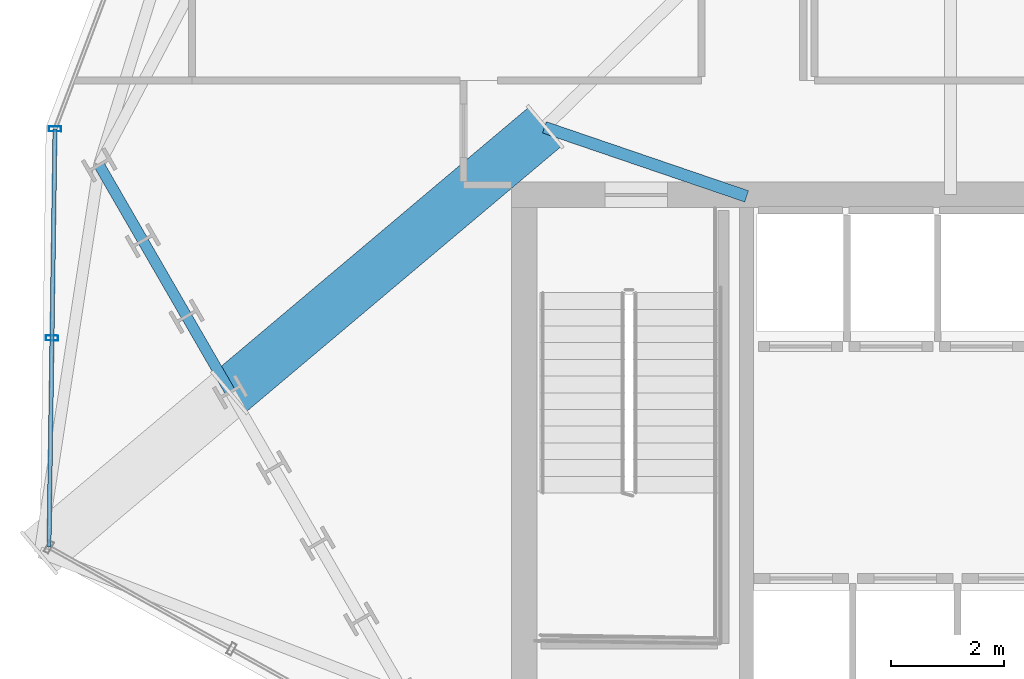
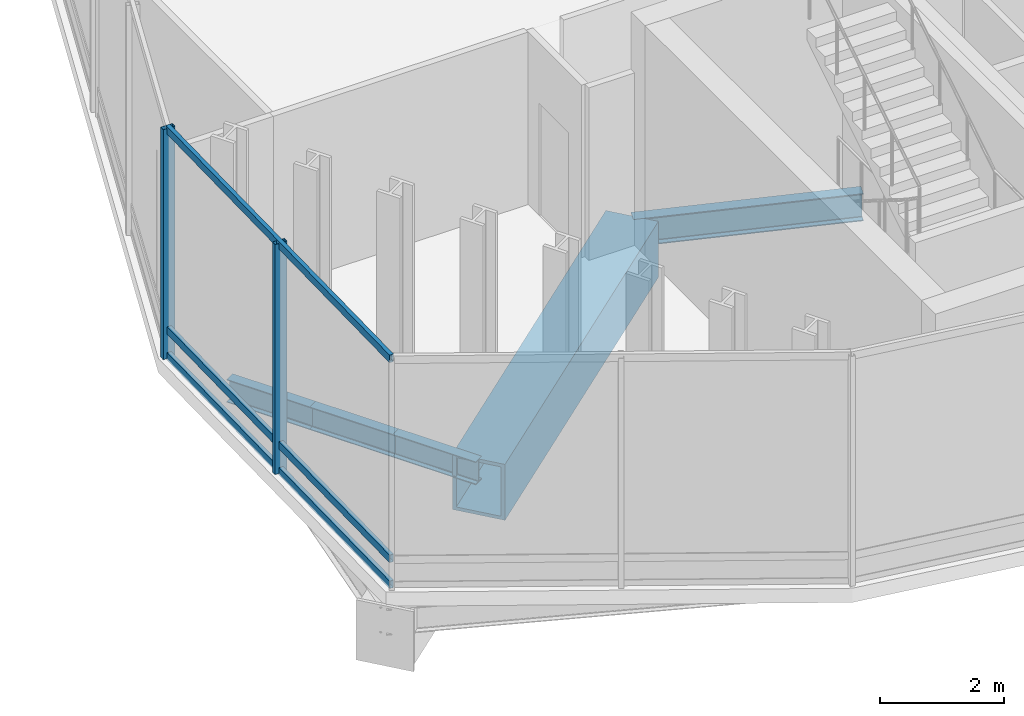
# One storey, part 4 of 26: 5 beams, 5 members, 1 element without a shape of its own.
"""IFC4 building model written with IfcOpenShell, lengths in metres."""

from ifc_helpers import new_model, si_unit, direction, frame, origin, origin_2d, place, context, subcontext, project, spatial, hollow_rectangle, i_section, extrude, material, layer, layer_set, material_profile, profile_set, type_object, element, aggregate, save


model = new_model("IFC4")

# Units and contexts
model_context = context("Model", 3, precision=1e-05, world=origin(), true_north=direction((0.0, 1.0)))
body_context = subcontext(model_context, "Body", "Model", "MODEL_VIEW")
ifc_project = project(units=[si_unit("LENGTHUNIT", "METRE"), si_unit("AREAUNIT", "SQUARE_METRE"), si_unit("VOLUMEUNIT", "CUBIC_METRE"), si_unit("PLANEANGLEUNIT", "RADIAN"), si_unit("MASSUNIT", "GRAM", prefix="KILO")], contexts=[model_context])

# Site, building, storey
site_placement = place(None, origin())
site = spatial("IfcSite", under=ifc_project, at=site_placement, CompositionType="ELEMENT")
building_placement = place(site_placement, origin())
building = spatial("IfcBuilding", under=site, at=building_placement, Name="Ndaravel Arena Tower", CompositionType="ELEMENT")
storey_placement = place(building_placement, frame((0.0, 0.0, 117.39990234375)))
storey = spatial("IfcBuildingStorey", under=building, at=storey_placement, Name="L27", CompositionType="ELEMENT", Elevation=117.39990234375)

# Beams
ifc_material_1 = material(Name="Steel S355", Category="steel")
ifc_material_profile_1 = material_profile(ifc_material_1, i_section(OverallWidth=0.210693359375, OverallDepth=0.53955078125, WebThickness=0.01171875, FlangeThickness=0.018798828125, FilletRadius=0.0126953125, at=origin_2d()), Name="UB 533x210x109")
ifc_profile_set_1 = profile_set([ifc_material_profile_1], Name="Steel S355")
beam_type_1 = type_object("IfcBeamType", Name="BM-GIRD-UB533", PredefinedType="BEAM", material=ifc_profile_set_1)
beam_1_placement = place(storey_placement, frame((30.60009765625, 14.949951171875, -0.549560546875), z_axis=(-0.946368669918, 0.323088750341, 0.0), x_axis=(-0.323088750341, -0.946368669918, 0.0)))
element("IfcBeam", 1, at=beam_1_placement, inside=storey, type_object=beam_type_1, Name="L27 Star Backspan Anchor Tie SAT1-1", PredefinedType="BEAM", context=body_context, shape_type="SweptSolid", body=[
    extrude(i_section(OverallWidth=0.210693359375, OverallDepth=0.53955078125, WebThickness=0.01171875, FlangeThickness=0.018798828125, FilletRadius=0.0126953125, at=origin_2d()), origin(), (0.0, 0.0, 1.0), 3.7744140625),
])
ifc_material_2 = material(Name="Steel S355", Category="steel")
ifc_material_profile_2 = material_profile(ifc_material_2, i_section(OverallWidth=0.18994140625, OverallDepth=0.449951171875, WebThickness=0.009521484375, FlangeThickness=0.0146484375, FilletRadius=0.02099609375, at=origin_2d()), Name="IPE 450")
ifc_profile_set_2 = profile_set([ifc_material_profile_2], Name="Steel S355")
beam_type_2 = type_object("IfcBeamType", Name="BM-SPAN-IPE450", PredefinedType="SPANDREL", material=ifc_profile_set_2)
for number, where, z_axis, x_axis, name in (
    (2, (19.16259765625, 15.50439453125, -0.5048828125), (0.499882215713, -0.866093395895, 0.0), (0.866093395895, 0.499882215713, 0.0), "L27 Perimeter Spandrel Beam SP-20"),
    (3, (19.93408203125, 14.167724609375, -0.5048828125), (0.500069364209, -0.865985352636, 0.0), (0.865985352636, 0.500069364209, 0.0), "L27 Perimeter Spandrel Beam SP-21"),
):
    element("IfcBeam", number, at=place(storey_placement, frame(where, z_axis=z_axis, x_axis=x_axis)), inside=storey, type_object=beam_type_2, Name=name, PredefinedType="SPANDREL", context=body_context, shape_type="SweptSolid", body=[
        extrude(i_section(OverallWidth=0.18994140625, OverallDepth=0.449951171875, WebThickness=0.009521484375, FlangeThickness=0.0146484375, FilletRadius=0.02099609375, at=origin_2d()), origin(), (0.0, 0.0, 1.0), 1.543212890625),
    ])
beam_2_placement = place(storey_placement, frame((20.705810546875, 12.831298828125, -0.5048828125), z_axis=(0.5000008632, -0.866024905415, 0.0), x_axis=(0.866024905415, 0.5000008632, 0.0)))
element("IfcBeam", 4, at=beam_2_placement, inside=storey, type_object=beam_type_2, Name="L27 Perimeter Spandrel Beam SP-22", PredefinedType="SPANDREL", context=body_context, shape_type="SweptSolid", body=[
    extrude(i_section(OverallWidth=0.18994140625, OverallDepth=0.449951171875, WebThickness=0.009521484375, FlangeThickness=0.0146484375, FilletRadius=0.02099609375, at=origin_2d()), origin(), (0.0, 0.0, 1.0), 1.54345703125),
])
ifc_material_3 = material(Name="Steel S460", Category="steel")
ifc_material_profile_3 = material_profile(ifc_material_3, hollow_rectangle(XDim=0.89990234375, YDim=1.10009765625, WallThickness=0.06494140625, at=origin_2d()), Name="BOX 1100x900x65")
ifc_profile_set_3 = profile_set([ifc_material_profile_3], Name="Steel S460")
beam_type_3 = type_object("IfcBeamType", Name="BM-STAR-BOX1100", PredefinedType="BEAM", material=ifc_profile_set_3)
beam_3_placement = place(storey_placement, frame((27.028076171875, 16.16943359375, -0.829833984375), z_axis=(-0.764865830432, -0.644189616059, 0.0), x_axis=(0.644189616059, -0.764865830432, 0.0)))
element("IfcBeam", 5, at=beam_3_placement, inside=storey, type_object=beam_type_3, Name="L27 Star Cantilever Backspan Girder SBG-1", PredefinedType="BEAM", context=body_context, shape_type="SweptSolid", body=[
    extrude(hollow_rectangle(XDim=0.89990234375, YDim=1.10009765625, WallThickness=0.06494140625, at=origin_2d()), origin(), (0.0, 0.0, 1.0), 7.2568359375),
])

# Curtain wall, members
ifc_material_4 = material(Name="Aluminium", Category="aluminium")
ifc_layer = layer(ifc_material_4, 0.179931640625)
ifc_layer_set = layer_set([ifc_layer], Name="Aluminium")
curtain_wall_type = type_object("IfcCurtainWallType", Name="CW-SYS-04", PredefinedType="NOTDEFINED", material=ifc_layer_set)
curtain_wall_placement = place(storey_placement, origin())
curtain_wall = element("IfcCurtainWall", 6, at=curtain_wall_placement, inside=storey, type_object=curtain_wall_type, Name="L27 Faceted Crystal Curtain Wall CW-L27-E12", PredefinedType="NOTDEFINED")
ifc_material_5 = material(Name="Aluminium", Category="aluminium")
ifc_material_profile_4 = material_profile(ifc_material_5, hollow_rectangle(XDim=0.090087890625, YDim=0.219970703125, WallThickness=0.0048828125, at=origin_2d()), Name="CW MULLION 90x220x5")
ifc_profile_set_4 = profile_set([ifc_material_profile_4], Name="Aluminium")
member_type_1 = type_object("IfcMemberType", Name="MEM-CW-MUL220", PredefinedType="MULLION", material=ifc_profile_set_4)
member_1_placement = place(storey_placement, frame((18.382080078125, 16.142333984375, 0.0), z_axis=(0.0, 0.0, 1.0), x_axis=(-0.014503177598, -0.999894823389, 0.0)))
member_1 = element("IfcMember", 7, at=member_1_placement, type_object=member_type_1, Name="CW-L27-E12 Mullion 00", PredefinedType="MULLION", context=body_context, shape_type="SweptSolid", body=[
    extrude(hollow_rectangle(XDim=0.090087890625, YDim=0.219970703125, WallThickness=0.0048828125, at=origin_2d()), origin(), (0.0, 0.0, 1.0), 4.52001953125),
])
member_2_placement = place(storey_placement, frame((18.32861328125, 12.448486328125, 0.0), z_axis=(0.0, 0.0, 1.0), x_axis=(-0.014503177598, -0.999894823389, 0.0)))
member_2 = element("IfcMember", 8, at=member_2_placement, type_object=member_type_1, Name="CW-L27-E12 Mullion 01", PredefinedType="MULLION", context=body_context, shape_type="SweptSolid", body=[
    extrude(hollow_rectangle(XDim=0.090087890625, YDim=0.219970703125, WallThickness=0.0048828125, at=origin_2d()), origin(), (0.0, 0.0, 1.0), 4.52001953125),
])
ifc_material_6 = material(Name="Aluminium", Category="aluminium")
ifc_material_profile_5 = material_profile(ifc_material_6, hollow_rectangle(XDim=0.074951171875, YDim=0.14990234375, WallThickness=0.00390625, at=origin_2d()), Name="CW TRANSOM 75x150x4")
ifc_profile_set_5 = profile_set([ifc_material_profile_5], Name="Aluminium")
member_type_2 = type_object("IfcMemberType", Name="MEM-CW-TRN150", PredefinedType="USERDEFINED", material=ifc_profile_set_5)
member_3_placement = place(storey_placement, frame((18.382080078125, 16.142333984375, 0.0400390625), z_axis=(-0.014505595059, -0.999894788321, 0.0), x_axis=(0.999894788321, -0.014505595059, 0.0)))
member_3 = element("IfcMember", 9, at=member_3_placement, type_object=member_type_2, Name="CW-L27-E12 Transom 01", ObjectType="TRANSOM", PredefinedType="USERDEFINED", context=body_context, shape_type="SweptSolid", body=[
    extrude(hollow_rectangle(XDim=0.074951171875, YDim=0.14990234375, WallThickness=0.00390625, at=origin_2d()), origin(), (0.0, 0.0, 1.0), 7.388671875),
])
member_4_placement = place(storey_placement, frame((18.382080078125, 16.142333984375, 0.550048828125), z_axis=(-0.014505595059, -0.999894788321, 0.0), x_axis=(0.999894788321, -0.014505595059, 0.0)))
member_4 = element("IfcMember", 10, at=member_4_placement, type_object=member_type_2, Name="CW-L27-E12 Transom 02", ObjectType="TRANSOM", PredefinedType="USERDEFINED", context=body_context, shape_type="SweptSolid", body=[
    extrude(hollow_rectangle(XDim=0.074951171875, YDim=0.14990234375, WallThickness=0.00390625, at=origin_2d()), origin(), (0.0, 0.0, 1.0), 7.388671875),
])
member_5_placement = place(storey_placement, frame((18.382080078125, 16.142333984375, 4.47998046875), z_axis=(-0.014505595059, -0.999894788321, 0.0), x_axis=(0.999894788321, -0.014505595059, 0.0)))
member_5 = element("IfcMember", 11, at=member_5_placement, type_object=member_type_2, Name="CW-L27-E12 Transom 03", ObjectType="TRANSOM", PredefinedType="USERDEFINED", context=body_context, shape_type="SweptSolid", body=[
    extrude(hollow_rectangle(XDim=0.074951171875, YDim=0.14990234375, WallThickness=0.00390625, at=origin_2d()), origin(), (0.0, 0.0, 1.0), 7.388671875),
])
aggregate(curtain_wall, [member_1, member_2, member_3, member_4, member_5])

save(model, "model.ifc")
